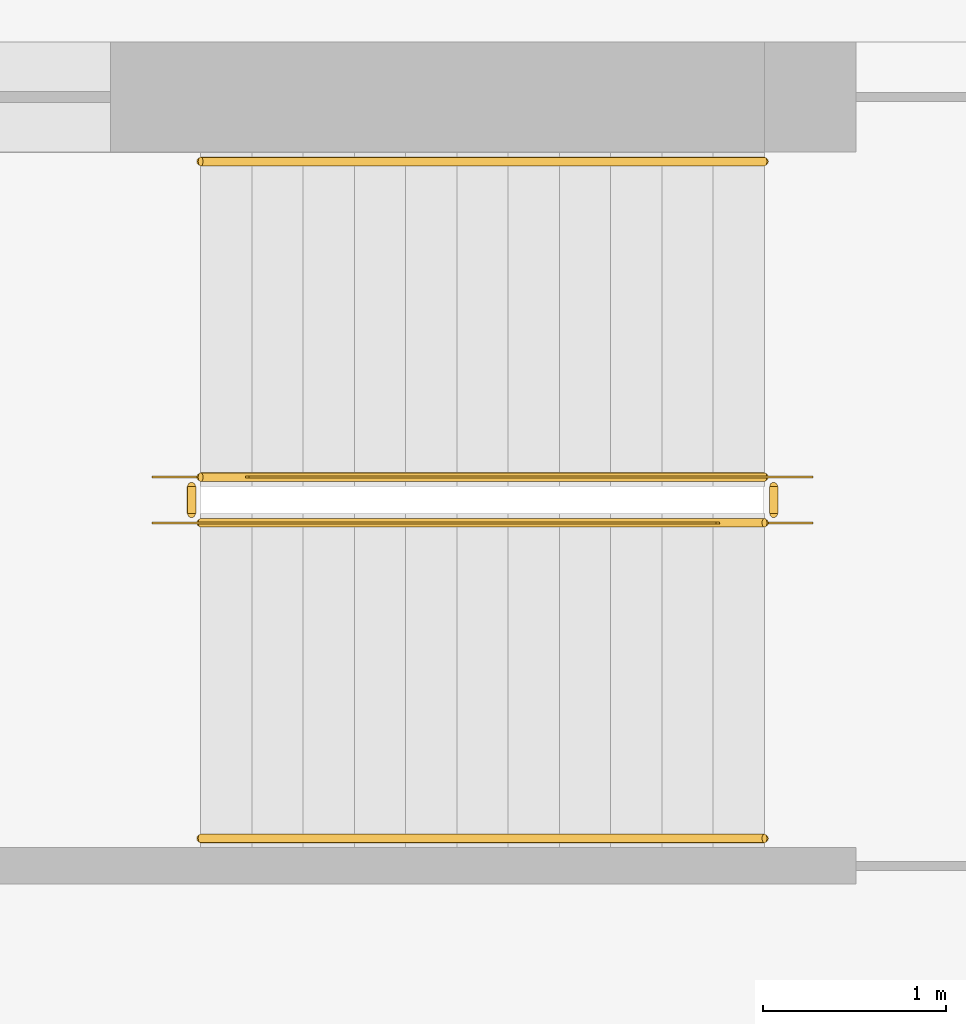
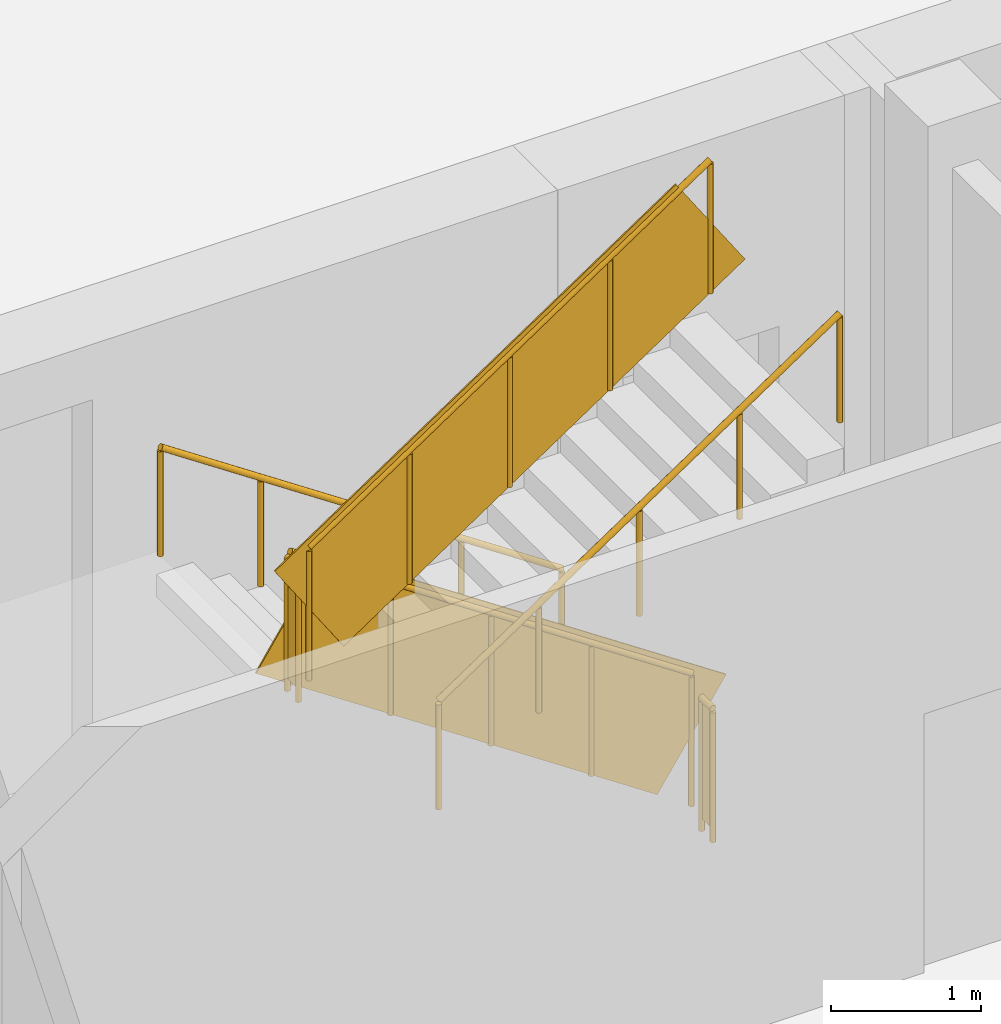
# One storey, part 41 of 42: 6 railings.
"""IFC4 building model written with IfcOpenShell, lengths in metres."""

from ifc_helpers import new_model, si_unit, direction, frame, origin, origin_2d, place, context, subcontext, project, spatial, rectangle, circle, extrude, material, type_object, element, save


model = new_model("IFC4")

# Units and contexts
model_context = context("Model", 3, precision=1e-05, world=origin(), true_north=direction((0.0, 1.0)))
body_context = subcontext(model_context, "Body", "Model", "MODEL_VIEW")
ifc_project = project(units=[si_unit("LENGTHUNIT", "METRE"), si_unit("AREAUNIT", "SQUARE_METRE"), si_unit("VOLUMEUNIT", "CUBIC_METRE"), si_unit("PLANEANGLEUNIT", "RADIAN"), si_unit("MASSUNIT", "GRAM", prefix="KILO")], contexts=[model_context])

# Site, building, storey
site_placement = place(None, origin())
site = spatial("IfcSite", under=ifc_project, at=site_placement, CompositionType="ELEMENT")
building_placement = place(site_placement, origin())
building = spatial("IfcBuilding", under=site, at=building_placement, Name="Dilmun Exchange Tower", CompositionType="ELEMENT")
storey_placement = place(building_placement, origin())
storey = spatial("IfcBuildingStorey", under=building, at=storey_placement, Name="L00", CompositionType="ELEMENT", Elevation=0.0)

# Railings
ifc_material_1 = material(Name="Guard 1100")
railing_type_1 = type_object("IfcRailingType", Name="Guard 1100", PredefinedType="GUARDRAIL", material=ifc_material_1)
railing_1_placement = place(storey_placement, frame((24.5, 33.6240234375, 0.1875)))
element("IfcRailing", 1, at=railing_1_placement, inside=storey, type_object=railing_type_1, Name="L00 PS2 stair guard 1", PredefinedType="GUARDRAIL", context=body_context, shape_type="SweptSolid", body=[
    extrude(circle(Radius=0.02392578125, at=origin_2d()), frame((0.0, 0.0, 1.076171875), z_axis=(-0.830913701846, 0.0, 0.55640131208), x_axis=(0.0, -1.0, 0.0)), (0.0, 0.0, 1.0), 3.706787109375),
    extrude(rectangle(XDim=0.011962890625, YDim=0.951904296875, at=origin_2d()), frame((0.0, 0.0, 0.576171875), z_axis=(-0.830913701846, 0.0, 0.55640131208), x_axis=(0.0, -1.0, 0.0)), (0.0, 0.0, 1.0), 3.706787109375),
    extrude(circle(Radius=0.02099609375, at=origin_2d()), origin(), (0.0, 0.0, 1.0), 1.052001953125),
    extrude(circle(Radius=0.02099609375, at=origin_2d()), frame((-0.77001953125, 0.0, 0.515625)), (0.0, 0.0, 1.0), 1.052001953125),
    extrude(circle(Radius=0.02099609375, at=origin_2d()), frame((-1.5400390625, 0.0, 1.03125)), (0.0, 0.0, 1.0), 1.052001953125),
    extrude(circle(Radius=0.02099609375, at=origin_2d()), frame((-2.31005859375, 0.0, 1.546875)), (0.0, 0.0, 1.0), 1.052001953125),
    extrude(circle(Radius=0.02099609375, at=origin_2d()), frame((-3.080078125, 0.0, 2.0625)), (0.0, 0.0, 1.0), 1.052001953125),
])
railing_2_placement = place(storey_placement, frame((21.3701171875, 33.573974609375, 2.25)))
element("IfcRailing", 2, at=railing_2_placement, inside=storey, type_object=railing_type_1, Name="L00 PS2 stair guard 2", PredefinedType="GUARDRAIL", context=body_context, shape_type="SweptSolid", body=[
    extrude(circle(Radius=0.02392578125, at=origin_2d()), frame((0.0, 0.0, 1.076171875), z_axis=(0.0, -1.0, 0.0), x_axis=(1.0, 0.0, 0.0)), (0.0, 0.0, 1.0), 0.14990234375),
    extrude(rectangle(XDim=0.011962890625, YDim=0.951904296875, at=origin_2d()), frame((0.0, 0.0, 0.576171875), z_axis=(0.0, -1.0, 0.0), x_axis=(1.0, 0.0, 0.0)), (0.0, 0.0, 1.0), 0.14990234375),
    extrude(circle(Radius=0.02099609375, at=origin_2d()), origin(), (0.0, 0.0, 1.0), 1.052001953125),
    extrude(circle(Radius=0.02099609375, at=origin_2d()), frame((0.0, -0.14990234375, 0.0)), (0.0, 0.0, 1.0), 1.052001953125),
])
railing_3_placement = place(storey_placement, frame((21.419921875, 33.3740234375, 2.4375)))
element("IfcRailing", 3, at=railing_3_placement, inside=storey, type_object=railing_type_1, Name="L00 PS2 stair guard 3", PredefinedType="GUARDRAIL", context=body_context, shape_type="SweptSolid", body=[
    extrude(circle(Radius=0.02392578125, at=origin_2d()), frame((0.0, 0.0, 1.076171875), z_axis=(0.830913701846, 0.0, 0.55640131208), x_axis=(0.0, 1.0, 0.0)), (0.0, 0.0, 1.0), 3.706787109375),
    extrude(rectangle(XDim=0.011962890625, YDim=0.951904296875, at=origin_2d()), frame((0.0, 0.0, 0.576171875), z_axis=(0.830913701846, 0.0, 0.55640131208), x_axis=(0.0, 1.0, 0.0)), (0.0, 0.0, 1.0), 3.706787109375),
    extrude(circle(Radius=0.02099609375, at=origin_2d()), origin(), (0.0, 0.0, 1.0), 1.052001953125),
    extrude(circle(Radius=0.02099609375, at=origin_2d()), frame((0.77001953125, 0.0, 0.515625)), (0.0, 0.0, 1.0), 1.052001953125),
    extrude(circle(Radius=0.02099609375, at=origin_2d()), frame((1.5400390625, 0.0, 1.03125)), (0.0, 0.0, 1.0), 1.052001953125),
    extrude(circle(Radius=0.02099609375, at=origin_2d()), frame((2.31005859375, 0.0, 1.546875)), (0.0, 0.0, 1.0), 1.052001953125),
    extrude(circle(Radius=0.02099609375, at=origin_2d()), frame((3.080078125, 0.0, 2.0625)), (0.0, 0.0, 1.0), 1.052001953125),
])
railing_4_placement = place(storey_placement, frame((24.550048828125, 33.573974609375, 0.0)))
element("IfcRailing", 4, at=railing_4_placement, inside=storey, type_object=railing_type_1, Name="L00 PS2 stair guard 4", PredefinedType="GUARDRAIL", context=body_context, shape_type="SweptSolid", body=[
    extrude(circle(Radius=0.02392578125, at=origin_2d()), frame((0.0, 0.0, 1.076171875), z_axis=(0.0, -1.0, 0.0), x_axis=(1.0, 0.0, 0.0)), (0.0, 0.0, 1.0), 0.14990234375),
    extrude(rectangle(XDim=0.011962890625, YDim=0.951904296875, at=origin_2d()), frame((0.0, 0.0, 0.576171875), z_axis=(0.0, -1.0, 0.0), x_axis=(1.0, 0.0, 0.0)), (0.0, 0.0, 1.0), 0.14990234375),
    extrude(circle(Radius=0.02099609375, at=origin_2d()), origin(), (0.0, 0.0, 1.0), 1.052001953125),
    extrude(circle(Radius=0.02099609375, at=origin_2d()), frame((0.0, -0.14990234375, 0.0)), (0.0, 0.0, 1.0), 1.052001953125),
])
ifc_material_2 = material(Name="Handrail 900")
railing_type_2 = type_object("IfcRailingType", Name="Handrail 900", PredefinedType="HANDRAIL", material=ifc_material_2)
railing_5_placement = place(storey_placement, frame((24.5, 35.347900390625, 0.1875)))
element("IfcRailing", 5, at=railing_5_placement, inside=storey, type_object=railing_type_2, Name="L00 PS2 stair handrail 1", PredefinedType="HANDRAIL", context=body_context, shape_type="SweptSolid", body=[
    extrude(circle(Radius=0.02392578125, at=origin_2d()), frame((0.0, 0.0, 0.8759765625), z_axis=(-0.830913701846, 0.0, 0.55640131208), x_axis=(0.0, -1.0, 0.0)), (0.0, 0.0, 1.0), 3.706787109375),
    extrude(circle(Radius=0.02099609375, at=origin_2d()), origin(), (0.0, 0.0, 1.0), 0.851806640625),
    extrude(circle(Radius=0.02099609375, at=origin_2d()), frame((-0.77001953125, 0.0, 0.515625)), (0.0, 0.0, 1.0), 0.851806640625),
    extrude(circle(Radius=0.02099609375, at=origin_2d()), frame((-1.5400390625, 0.0, 1.03125)), (0.0, 0.0, 1.0), 0.851806640625),
    extrude(circle(Radius=0.02099609375, at=origin_2d()), frame((-2.31005859375, 0.0, 1.546875)), (0.0, 0.0, 1.0), 0.851806640625),
    extrude(circle(Radius=0.02099609375, at=origin_2d()), frame((-3.080078125, 0.0, 2.0625)), (0.0, 0.0, 1.0), 0.851806640625),
])
railing_6_placement = place(storey_placement, frame((21.419921875, 31.64990234375, 2.4375)))
element("IfcRailing", 6, at=railing_6_placement, inside=storey, type_object=railing_type_2, Name="L00 PS2 stair handrail 2", PredefinedType="HANDRAIL", context=body_context, shape_type="SweptSolid", body=[
    extrude(circle(Radius=0.02392578125, at=origin_2d()), frame((0.0, 0.0, 0.8759765625), z_axis=(0.830913701846, 0.0, 0.55640131208), x_axis=(0.0, 1.0, 0.0)), (0.0, 0.0, 1.0), 3.706787109375),
    extrude(circle(Radius=0.02099609375, at=origin_2d()), origin(), (0.0, 0.0, 1.0), 0.851806640625),
    extrude(circle(Radius=0.02099609375, at=origin_2d()), frame((0.77001953125, 0.0, 0.515625)), (0.0, 0.0, 1.0), 0.851806640625),
    extrude(circle(Radius=0.02099609375, at=origin_2d()), frame((1.5400390625, 0.0, 1.03125)), (0.0, 0.0, 1.0), 0.851806640625),
    extrude(circle(Radius=0.02099609375, at=origin_2d()), frame((2.31005859375, 0.0, 1.546875)), (0.0, 0.0, 1.0), 0.851806640625),
    extrude(circle(Radius=0.02099609375, at=origin_2d()), frame((3.080078125, 0.0, 2.0625)), (0.0, 0.0, 1.0), 0.851806640625),
])

save(model, "model.ifc")
